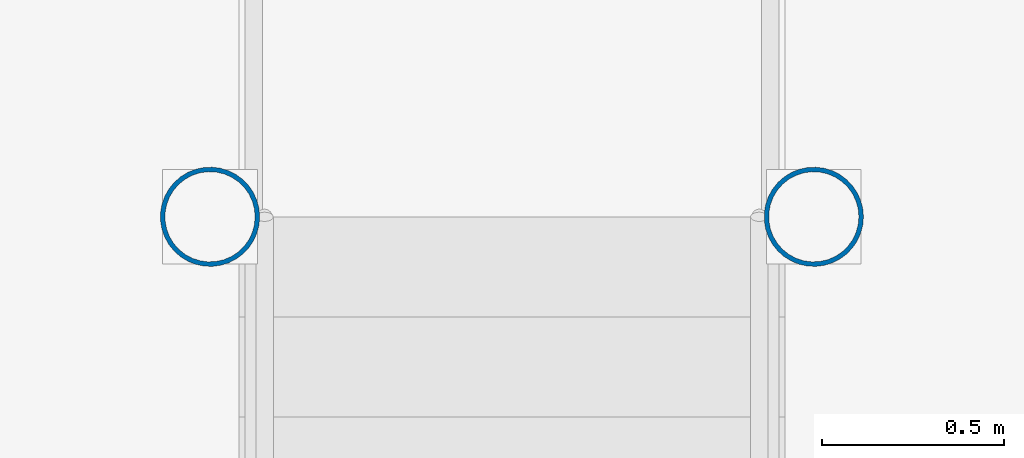
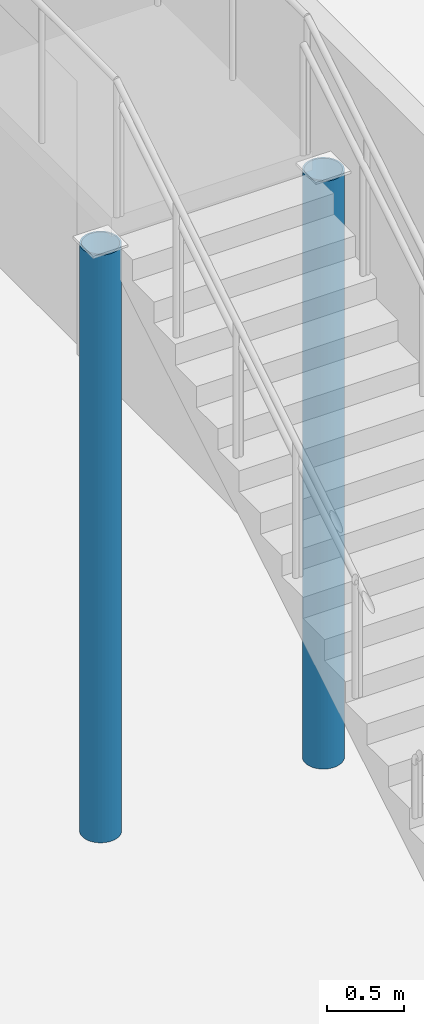
# One storey, part 13 of 31: 2 columns.
"""IFC4 building model written with IfcOpenShell, lengths in metres."""

from ifc_helpers import new_model, si_unit, direction, frame, origin, origin_2d, place, context, subcontext, project, spatial, hollow_circle, extrude, material, material_profile, profile_set, type_object, element, save


model = new_model("IFC4")

# Units and contexts
model_context = context("Model", 3, precision=1e-05, world=origin(), true_north=direction((0.0, 1.0)))
body_context = subcontext(model_context, "Body", "Model", "MODEL_VIEW")
ifc_project = project(units=[si_unit("LENGTHUNIT", "METRE"), si_unit("AREAUNIT", "SQUARE_METRE"), si_unit("VOLUMEUNIT", "CUBIC_METRE"), si_unit("PLANEANGLEUNIT", "RADIAN"), si_unit("MASSUNIT", "GRAM", prefix="KILO")], contexts=[model_context])

# Site, building, storey
site_placement = place(None, origin())
site = spatial("IfcSite", under=ifc_project, at=site_placement, CompositionType="ELEMENT")
building_placement = place(site_placement, origin())
building = spatial("IfcBuilding", under=site, at=building_placement, Name="Merenkruunu Market Hall", CompositionType="ELEMENT")
storey_placement = place(building_placement, frame((0.0, 0.0, -4.800048828125)))
storey = spatial("IfcBuildingStorey", under=building, at=storey_placement, Name="B1", CompositionType="ELEMENT", Elevation=-4.800048828125)

# Columns
ifc_material = material(Name="Steel S355ML", Category="steel")
ifc_material_profile = material_profile(ifc_material, hollow_circle(Radius=0.136474609375, WallThickness=0.012451171875, at=origin_2d()), Name="CHS 273x12.5")
ifc_profile_set = profile_set([ifc_material_profile], Name="Steel S355ML")
column_type = type_object("IfcColumnType", Name="Structural Column C14", PredefinedType="COLUMN", material=ifc_profile_set)
for number, where, z_axis, x_axis, name in (
    (1, (62.77001953125, 62.10009765625, 0.0), (0.0, 0.0, 1.0), (1.0, 0.0, 0.0), "COL-FST-1-1-B1"),
    (2, (64.429931640625, 62.10009765625, 0.0), (0.0, 0.0, 1.0), (1.0, 0.0, 0.0), "COL-FST-1-2-B1"),
):
    element("IfcColumn", number, at=place(storey_placement, frame(where, z_axis=z_axis, x_axis=x_axis)), inside=storey, type_object=column_type, Name=name, PredefinedType="COLUMN", context=body_context, shape_type="SweptSolid", body=[
        extrude(hollow_circle(Radius=0.136474609375, WallThickness=0.012451171875, at=origin_2d()), origin(), (0.0, 0.0, 1.0), 4.630126953125),
    ])

save(model, "model.ifc")
